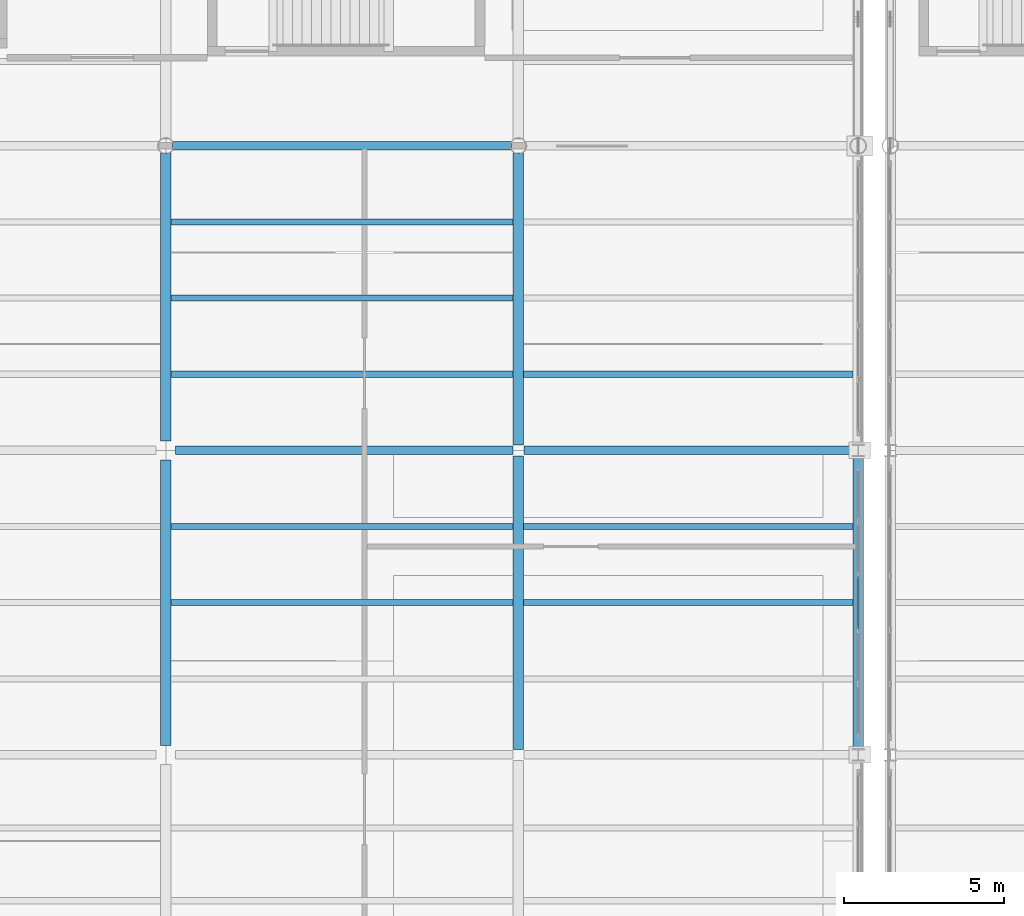
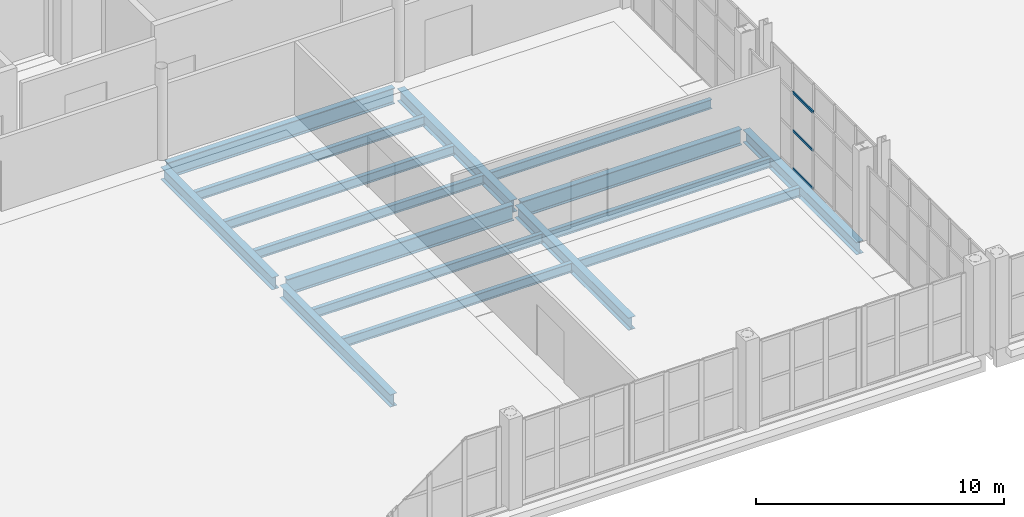
# One storey, part 35 of 156: 16 beams, 3 members, 1 element without a shape of its own.
"""IFC4 building model written with IfcOpenShell, lengths in metres."""

from ifc_helpers import new_model, si_unit, direction, frame, origin, origin_2d, place, context, subcontext, project, spatial, hollow_rectangle, i_section, extrude, material, material_profile, profile_set, type_object, element, aggregate, save


model = new_model("IFC4")

# Units and contexts
model_context = context("Model", 3, precision=1e-05, world=origin(), true_north=direction((0.0, 1.0)))
body_context = subcontext(model_context, "Body", "Model", "MODEL_VIEW")
ifc_project = project(units=[si_unit("LENGTHUNIT", "METRE"), si_unit("AREAUNIT", "SQUARE_METRE"), si_unit("VOLUMEUNIT", "CUBIC_METRE"), si_unit("PLANEANGLEUNIT", "RADIAN"), si_unit("MASSUNIT", "GRAM", prefix="KILO")], contexts=[model_context])

# Site, building, storey
site_placement = place(None, origin())
site = spatial("IfcSite", under=ifc_project, at=site_placement, CompositionType="ELEMENT")
building_placement = place(site_placement, origin())
building = spatial("IfcBuilding", under=site, at=building_placement, Name="Caurita Quay Ferry Terminal", CompositionType="ELEMENT")
storey_placement = place(building_placement, frame((0.0, 0.0, 5.39990234375)))
storey = spatial("IfcBuildingStorey", under=building, at=storey_placement, Name="L01", CompositionType="ELEMENT", Elevation=5.39990234375)

# Beams
ifc_material_1 = material(Name="Structural steel ASTM A992 Gr. 50", Category="steel")
ifc_material_profile_1 = material_profile(ifc_material_1, i_section(OverallWidth=0.3251953125, OverallDepth=0.612060546875, WebThickness=0.0126953125, FlangeThickness=0.01904296875, FilletRadius=0.01513671875, at=origin_2d()), Name="W24X104")
ifc_profile_set_1 = profile_set([ifc_material_profile_1], Name="Structural steel ASTM A992 Gr. 50")
beam_type_1 = type_object("IfcBeamType", Name="BM-GR-W24A", PredefinedType="BEAM", material=ifc_profile_set_1)
beam_1_placement = place(storey_placement, frame((66.0, 43.99755859375, -0.60595703125), z_axis=(0.0, 1.0, 0.0), x_axis=(-1.0, 0.0, 0.0)))
element("IfcBeam", 1, at=beam_1_placement, inside=storey, type_object=beam_type_1, Name="L01 Beam BM-V1-L01-Y-660-440", PredefinedType="BEAM", context=body_context, shape_type="SweptSolid", body=[
    extrude(i_section(OverallWidth=0.3251953125, OverallDepth=0.612060546875, WebThickness=0.0126953125, FlangeThickness=0.01904296875, FilletRadius=0.01513671875, at=origin_2d()), origin(), (0.0, 0.0, 1.0), 8.905029296875),
])
beam_2_placement = place(storey_placement, frame((66.0, 53.49755859375, -0.60595703125), z_axis=(0.0, 1.0, 0.0), x_axis=(-1.0, 0.0, 0.0)))
element("IfcBeam", 2, at=beam_2_placement, inside=storey, type_object=beam_type_1, Name="L01 Beam BM-V1-L01-Y-660-535", PredefinedType="BEAM", context=body_context, shape_type="SweptSolid", body=[
    extrude(i_section(OverallWidth=0.3251953125, OverallDepth=0.612060546875, WebThickness=0.0126953125, FlangeThickness=0.01904296875, FilletRadius=0.01513671875, at=origin_2d()), origin(), (0.0, 0.0, 1.0), 8.986572265625),
])
beam_3_placement = place(storey_placement, frame((77.0, 43.86962890625, -0.60595703125), z_axis=(0.0, 1.0, 0.0), x_axis=(-1.0, 0.0, 0.0)))
element("IfcBeam", 3, at=beam_3_placement, inside=storey, type_object=beam_type_1, Name="L01 Beam BM-V1-L01-Y-770-439", PredefinedType="BEAM", context=body_context, shape_type="SweptSolid", body=[
    extrude(i_section(OverallWidth=0.3251953125, OverallDepth=0.612060546875, WebThickness=0.0126953125, FlangeThickness=0.01904296875, FilletRadius=0.01513671875, at=origin_2d()), origin(), (0.0, 0.0, 1.0), 9.160888671875),
])
beam_4_placement = place(storey_placement, frame((77.0, 53.36962890625, -0.60595703125), z_axis=(0.0, 1.0, 0.0), x_axis=(-1.0, 0.0, 0.0)))
element("IfcBeam", 4, at=beam_4_placement, inside=storey, type_object=beam_type_1, Name="L01 Beam BM-V1-L01-Y-770-534", PredefinedType="BEAM", context=body_context, shape_type="SweptSolid", body=[
    extrude(i_section(OverallWidth=0.3251953125, OverallDepth=0.612060546875, WebThickness=0.0126953125, FlangeThickness=0.01904296875, FilletRadius=0.01513671875, at=origin_2d()), origin(), (0.0, 0.0, 1.0), 9.114501953125),
])
beam_5_placement = place(storey_placement, frame((87.60009765625, 43.877197265625, -0.60595703125), z_axis=(0.0, 1.0, 0.0), x_axis=(-1.0, 0.0, 0.0)))
element("IfcBeam", 5, at=beam_5_placement, inside=storey, type_object=beam_type_1, Name="L01 Beam BM-V1-L01-Y-876-439", PredefinedType="BEAM", context=body_context, shape_type="SweptSolid", body=[
    extrude(i_section(OverallWidth=0.3251953125, OverallDepth=0.612060546875, WebThickness=0.0126953125, FlangeThickness=0.01904296875, FilletRadius=0.01513671875, at=origin_2d()), origin(), (0.0, 0.0, 1.0), 9.145751953125),
])
ifc_material_profile_2 = material_profile(ifc_material_1, i_section(OverallWidth=0.2666015625, OverallDepth=0.77978515625, WebThickness=0.0166015625, FlangeThickness=0.030029296875, FilletRadius=0.01904296875, at=origin_2d()), Name="W30X148")
ifc_profile_set_2 = profile_set([ifc_material_profile_2], Name="Structural steel ASTM A992 Gr. 50")
beam_type_2 = type_object("IfcBeamType", Name="BM-GR-W30A", PredefinedType="BEAM", material=ifc_profile_set_2)
beam_6_placement = place(storey_placement, frame((66.297607421875, 53.199951171875, -0.689697265625), z_axis=(1.0, 0.0, 0.0), x_axis=(0.0, 1.0, 0.0)))
element("IfcBeam", 6, at=beam_6_placement, inside=storey, type_object=beam_type_2, Name="L01 Beam BM-V1-L01-X-663-532", PredefinedType="BEAM", context=body_context, shape_type="SweptSolid", body=[
    extrude(i_section(OverallWidth=0.2666015625, OverallDepth=0.77978515625, WebThickness=0.0166015625, FlangeThickness=0.030029296875, FilletRadius=0.01904296875, at=origin_2d()), origin(), (0.0, 0.0, 1.0), 10.531982421875),
])
beam_7_placement = place(storey_placement, frame((77.17041015625, 53.199951171875, -0.689697265625), z_axis=(1.0, 0.0, 0.0), x_axis=(0.0, 1.0, 0.0)))
element("IfcBeam", 7, at=beam_7_placement, inside=storey, type_object=beam_type_2, Name="L01 Beam BM-V1-L01-X-772-532", PredefinedType="BEAM", context=body_context, shape_type="SweptSolid", body=[
    extrude(i_section(OverallWidth=0.2666015625, OverallDepth=0.77978515625, WebThickness=0.0166015625, FlangeThickness=0.030029296875, FilletRadius=0.01904296875, at=origin_2d()), origin(), (0.0, 0.0, 1.0), 10.2568359375),
])
beam_8_placement = place(storey_placement, frame((66.2158203125, 62.699951171875, -0.689697265625), z_axis=(1.0, 0.0, 0.0), x_axis=(0.0, 1.0, 0.0)))
element("IfcBeam", 8, at=beam_8_placement, inside=storey, type_object=beam_type_2, Name="L01 Beam BM-V1-L01-X-662-627", PredefinedType="BEAM", context=body_context, shape_type="SweptSolid", body=[
    extrude(i_section(OverallWidth=0.2666015625, OverallDepth=0.77978515625, WebThickness=0.0166015625, FlangeThickness=0.030029296875, FilletRadius=0.01904296875, at=origin_2d()), origin(), (0.0, 0.0, 1.0), 10.568359375),
])
ifc_material_profile_3 = material_profile(ifc_material_1, i_section(OverallWidth=0.1904296875, OverallDepth=0.457275390625, WebThickness=0.009033203125, FlangeThickness=0.014404296875, FilletRadius=0.0126953125, at=origin_2d()), Name="W18X50")
ifc_profile_set_3 = profile_set([ifc_material_profile_3], Name="Structural steel ASTM A992 Gr. 50")
beam_type_3 = type_object("IfcBeamType", Name="BM-JS-W18B", PredefinedType="JOIST", material=ifc_profile_set_3)
for number, where, z_axis, x_axis, name in (
    (9, (66.16259765625, 48.449951171875, -0.528564453125), (1.0, 0.0, 0.0), (0.0, 1.0, 0.0), "L01 Beam JS-V1-L01-065"),
    (10, (66.16259765625, 50.824951171875, -0.528564453125), (1.0, 0.0, 0.0), (0.0, 1.0, 0.0), "L01 Beam JS-V1-L01-066"),
    (11, (66.16259765625, 55.574951171875, -0.528564453125), (1.0, 0.0, 0.0), (0.0, 1.0, 0.0), "L01 Beam JS-V1-L01-067"),
    (12, (66.16259765625, 57.949951171875, -0.528564453125), (1.0, 0.0, 0.0), (0.0, 1.0, 0.0), "L01 Beam JS-V1-L01-068"),
    (13, (66.16259765625, 60.324951171875, -0.528564453125), (1.0, 0.0, 0.0), (0.0, 1.0, 0.0), "L01 Beam JS-V1-L01-069"),
):
    element("IfcBeam", number, at=place(storey_placement, frame(where, z_axis=z_axis, x_axis=x_axis)), inside=storey, type_object=beam_type_3, Name=name, PredefinedType="JOIST", context=body_context, shape_type="SweptSolid", body=[
        extrude(i_section(OverallWidth=0.1904296875, OverallDepth=0.457275390625, WebThickness=0.009033203125, FlangeThickness=0.014404296875, FilletRadius=0.0126953125, at=origin_2d()), origin(), (0.0, 0.0, 1.0), 10.6748046875),
    ])
for number, where, z_axis, x_axis, name in (
    (14, (77.16259765625, 48.449951171875, -0.528564453125), (1.0, 0.0, 0.0), (0.0, 1.0, 0.0), "L01 Beam JS-V1-L01-074"),
    (15, (77.16259765625, 50.824951171875, -0.528564453125), (1.0, 0.0, 0.0), (0.0, 1.0, 0.0), "L01 Beam JS-V1-L01-075"),
    (16, (77.16259765625, 55.574951171875, -0.528564453125), (1.0, 0.0, 0.0), (0.0, 1.0, 0.0), "L01 Beam JS-V1-L01-076"),
):
    element("IfcBeam", number, at=place(storey_placement, frame(where, z_axis=z_axis, x_axis=x_axis)), inside=storey, type_object=beam_type_3, Name=name, PredefinedType="JOIST", context=body_context, shape_type="SweptSolid", body=[
        extrude(i_section(OverallWidth=0.1904296875, OverallDepth=0.457275390625, WebThickness=0.009033203125, FlangeThickness=0.014404296875, FilletRadius=0.0126953125, at=origin_2d()), origin(), (0.0, 0.0, 1.0), 10.27490234375),
    ])

# Curtain wall, members
ifc_material_2 = material(Name="Laminated solar-control insulated glass", Category="glass")
curtain_wall_type = type_object("IfcCurtainWallType", Name="CW-SYS-12", PredefinedType="NOTDEFINED", material=ifc_material_2)
curtain_wall_placement = place(storey_placement, origin())
curtain_wall = element("IfcCurtainWall", 17, at=curtain_wall_placement, inside=storey, type_object=curtain_wall_type, Name="Concourse Gable Curtain Wall 081", PredefinedType="NOTDEFINED")
ifc_material_3 = material(Name="Anodized aluminium 6063-T6", Category="aluminium")
ifc_material_profile_4 = material_profile(ifc_material_3, hollow_rectangle(XDim=0.06005859375, YDim=0.114990234375, WallThickness=0.00341796875, at=origin_2d()), Name="ALU-TRN-60X115")
ifc_profile_set_4 = profile_set([ifc_material_profile_4], Name="Anodized aluminium 6063-T6")
member_type = type_object("IfcMemberType", Name="CW-TRN-115", PredefinedType="USERDEFINED", material=ifc_profile_set_4)
member_1_placement = place(storey_placement, frame((87.60009765625, 47.634521484375, 0.030029296875), z_axis=(0.0, 1.0, 0.0), x_axis=(-1.0, 0.0, 0.0)))
member_1 = element("IfcMember", 18, at=member_1_placement, type_object=member_type, Name="CW-GBL-081 Transom 7", ObjectType="TRANSOM", PredefinedType="USERDEFINED", context=body_context, shape_type="SweptSolid", body=[
    extrude(hollow_rectangle(XDim=0.06005859375, YDim=0.114990234375, WallThickness=0.00341796875, at=origin_2d()), origin(), (0.0, 0.0, 1.0), 1.630859375),
])
member_2_placement = place(storey_placement, frame((87.60009765625, 47.634521484375, 1.900146484375), z_axis=(0.0, 1.0, 0.0), x_axis=(-1.0, 0.0, 0.0)))
member_2 = element("IfcMember", 19, at=member_2_placement, type_object=member_type, Name="CW-GBL-081 Transom 8", ObjectType="TRANSOM", PredefinedType="USERDEFINED", context=body_context, shape_type="SweptSolid", body=[
    extrude(hollow_rectangle(XDim=0.06005859375, YDim=0.114990234375, WallThickness=0.00341796875, at=origin_2d()), origin(), (0.0, 0.0, 1.0), 1.630859375),
])
member_3_placement = place(storey_placement, frame((87.60009765625, 47.634521484375, 3.77001953125), z_axis=(0.0, 1.0, 0.0), x_axis=(-1.0, 0.0, 0.0)))
member_3 = element("IfcMember", 20, at=member_3_placement, type_object=member_type, Name="CW-GBL-081 Transom 9", ObjectType="TRANSOM", PredefinedType="USERDEFINED", context=body_context, shape_type="SweptSolid", body=[
    extrude(hollow_rectangle(XDim=0.06005859375, YDim=0.114990234375, WallThickness=0.00341796875, at=origin_2d()), origin(), (0.0, 0.0, 1.0), 1.630859375),
])
aggregate(curtain_wall, [member_1, member_2, member_3])

save(model, "model.ifc")
